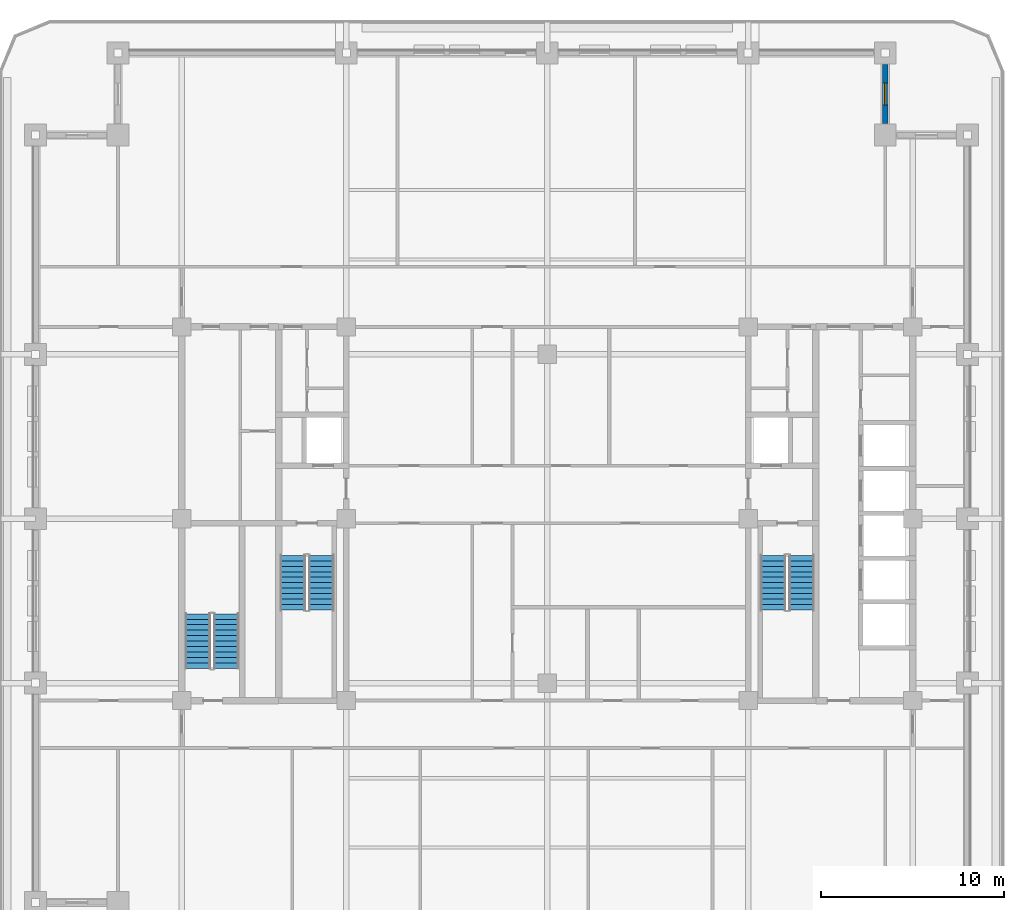
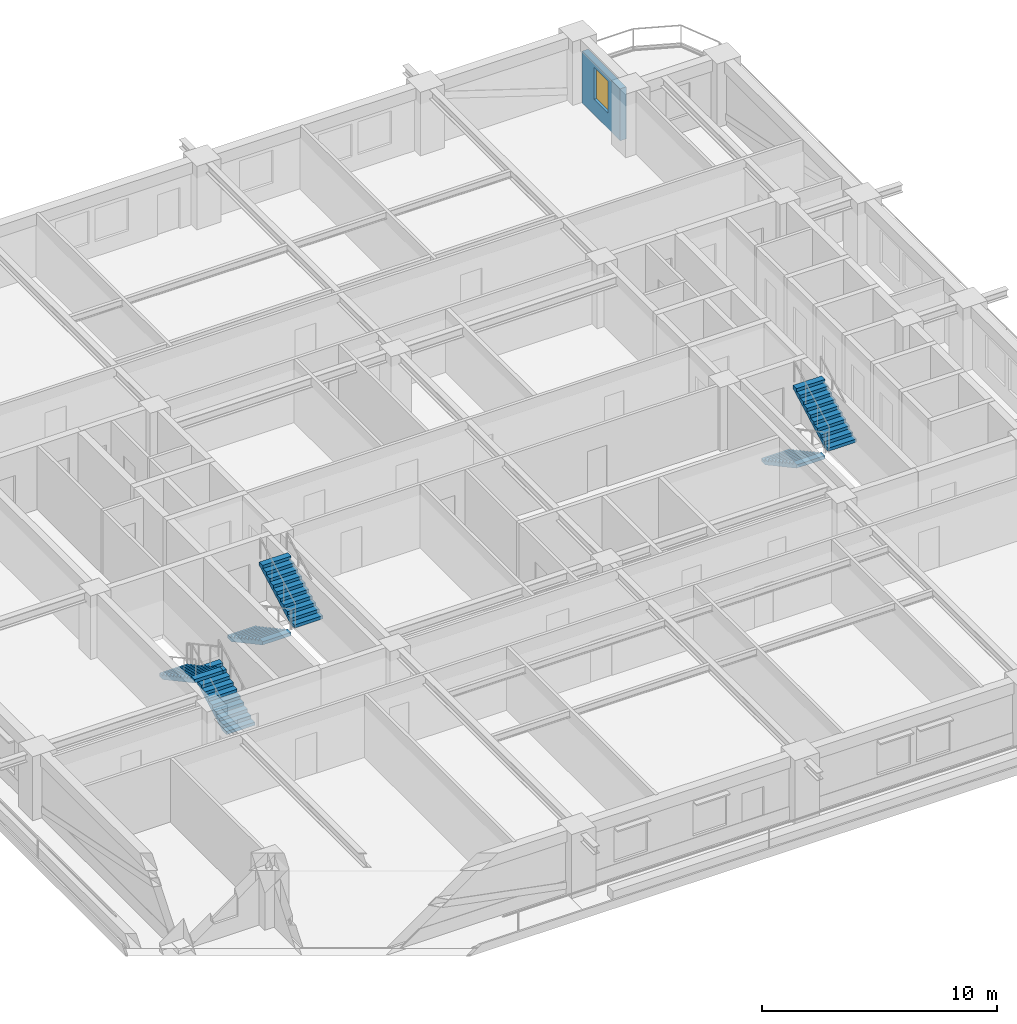
# One storey, part 7 of 15: 6 stair flights, 1 wall, 1 window, 1 opening, 3 elements without a shape of their own.
"""IFC4 building model written with IfcOpenShell, lengths in metres."""

from ifc_helpers import new_model, si_unit, direction, frame, frame_2d, origin, place, context, subcontext, project, spatial, polyline, rectangle, outline, extrude, material, layer, layer_set, type_object, element, fill, aggregate, save


model = new_model("IFC4")

# Units and contexts
model_context = context("Model", 3, precision=1e-05, world=origin(), true_north=direction((0.0, 1.0)))
body_context = subcontext(model_context, "Body", "Model", "MODEL_VIEW")
ifc_project = project(units=[si_unit("LENGTHUNIT", "METRE"), si_unit("AREAUNIT", "SQUARE_METRE"), si_unit("VOLUMEUNIT", "CUBIC_METRE"), si_unit("PLANEANGLEUNIT", "RADIAN"), si_unit("MASSUNIT", "GRAM", prefix="KILO")], contexts=[model_context])

# Site, building, storey
site_placement = place(None, origin())
site = spatial("IfcSite", under=ifc_project, at=site_placement, CompositionType="ELEMENT")
building_placement = place(site_placement, origin())
building = spatial("IfcBuilding", under=site, at=building_placement, Name="Zulmaris Gate Convention Tower", CompositionType="ELEMENT")
storey_placement = place(building_placement, frame((0.0, 0.0, 132.059814453125)))
storey = spatial("IfcBuildingStorey", under=building, at=storey_placement, Name="L33", CompositionType="ELEMENT", Elevation=132.059814453125)

# Wall, opening, window
ifc_material_1 = material(Name="Precast concrete C40/50", Category="concrete")
ifc_layer_1 = layer(ifc_material_1, 0.300048828125, Name="Precast concrete C40/50")
ifc_layer_set_1 = layer_set([ifc_layer_1], Name="Precast concrete C40/50")
wall_type = type_object("IfcWallType", Name="PRECAST-PIER-300", PredefinedType="STANDARD", material=ifc_layer_set_1)
wall_placement = place(storey_placement, frame((18.5, 21.6298828125, 0.0), z_axis=(0.0, 0.0, 1.0), x_axis=(0.0, 1.0, 0.0)))
wall = element("IfcWall", 1, at=wall_placement, inside=storey, type_object=wall_type, Name="EW-L33-NOTCH-NE2_0", PredefinedType="STANDARD", context=body_context, shape_type="SweptSolid", body=[
    extrude(rectangle(XDim=3.240234375, YDim=0.300048828125, at=frame_2d((1.6201171875, 0.0))), origin(), (0.0, 0.0, 1.0), 2.712158203125),
])
opening_placement = place(wall_placement, frame((1.02001953125, 0.0, 0.820068359375)))
opening = element("IfcOpeningElement", 2, at=opening_placement, cuts=wall, Name="Opening W-04", PredefinedType="OPENING", context=body_context, shape_type="SweptSolid", body=[
    extrude(rectangle(XDim=1.199951171875, YDim=1.64990234375, at=frame_2d((0.60009765625, 0.824951171875))), frame((0.0, 0.16015625, 0.0), z_axis=(0.0, -1.0, 0.0), x_axis=(1.0, 0.0, 0.0)), (0.0, 0.0, 1.0), 0.320068359375),
])
ifc_material_2 = material(Name="Low-E Laminated Double Glazing in Aluminium Frame", Category="aluminium")
window_type = type_object("IfcWindowType", Name="WIN-1200x2100", PartitioningType="SINGLE_PANEL", PredefinedType="WINDOW", material=ifc_material_2)
window_placement = place(opening_placement, origin())
window = element("IfcWindow", 3, at=window_placement, inside=storey, type_object=window_type, Name="WN-EW-L33-NOTCH-NE2_0", OverallHeight=1.64990234375, OverallWidth=1.199951171875, PartitioningType="SINGLE_PANEL", PredefinedType="WINDOW", context=body_context, shape_type="SweptSolid", body=[
    extrude(rectangle(XDim=1.199951171875, YDim=1.64990234375, at=frame_2d((0.60009765625, 0.824951171875))), frame((0.0, 0.030029296875, 0.0), z_axis=(0.0, -1.0, 0.0), x_axis=(1.0, 0.0, 0.0)), (0.0, 0.0, 1.0), 0.06005859375),
])
fill(opening, window)

# Stair, stair flights
ifc_material_3 = material(Name="Concrete C45/55", Category="concrete")
stair_type = type_object("IfcStairType", Name="ST-CORE-DOGLEG", PredefinedType="HALF_TURN_STAIR", material=ifc_material_3)
stair_1_placement = place(storey_placement, origin())
stair_1 = element("IfcStair", 4, at=stair_1_placement, inside=storey, type_object=stair_type, Name="L33 Core Exit Stair ST-1", PredefinedType="HALF_TURN_STAIR")
ifc_layer_2 = layer(ifc_material_3, 0.14990234375, Name="Concrete C45/55")
ifc_layer_set_2 = layer_set([ifc_layer_2], Name="Concrete C45/55")
stair_flight_type = type_object("IfcStairFlightType", Name="STF-RC150", PredefinedType="STRAIGHT", material=ifc_layer_set_2)
stair_flight_1_placement = place(storey_placement, frame((-13.919921875, -2.0, 0.0), z_axis=(0.0, 0.0, 1.0), x_axis=(0.0, -1.0, 0.0)))
stair_flight_1 = element("IfcStairFlight", 5, at=stair_flight_1_placement, type_object=stair_flight_type, Name="ST-1 flight 1", NumberOfRisers=11, NumberOfTreads=10, PredefinedType="STRAIGHT", RiserHeight=0.162277273, TreadLength=0.3, context=body_context, shape_type="SweptSolid", body=[
    extrude(outline(polyline([(0.0, 0.0), (0.0, 0.162353515625), (0.300048828125, 0.162353515625), (0.300048828125, 0.324462890625), (0.60009765625, 0.324462890625), (0.60009765625, 0.48681640625), (0.89990234375, 0.48681640625), (0.89990234375, 0.649169921875), (1.199951171875, 0.649169921875), (1.199951171875, 0.811279296875), (1.5, 0.811279296875), (1.5, 0.9736328125), (1.800048828125, 0.9736328125), (1.800048828125, 1.135986328125), (2.10009765625, 1.135986328125), (2.10009765625, 1.29833984375), (2.39990234375, 1.29833984375), (2.39990234375, 1.46044921875), (2.699951171875, 1.46044921875), (2.699951171875, 1.622802734375), (3.0, 1.622802734375), (3.0, 1.78515625), (3.0, 1.452392578125), (0.315185546875, 0.0), (0.0, 0.0)])), frame((0.0, 0.699951171875, 0.0), z_axis=(0.0, -1.0, 0.0), x_axis=(1.0, 0.0, 0.0)), (0.0, 0.0, 1.0), 1.39990234375),
])
stair_flight_2_placement = place(storey_placement, frame((-12.360107421875, -5.0, 1.78515625), z_axis=(0.0, 0.0, 1.0), x_axis=(0.0, 1.0, 0.0)))
stair_flight_2 = element("IfcStairFlight", 6, at=stair_flight_2_placement, type_object=stair_flight_type, Name="ST-1 flight 2", NumberOfRisers=11, NumberOfTreads=10, PredefinedType="STRAIGHT", RiserHeight=0.162277273, TreadLength=0.3, context=body_context, shape_type="SweptSolid", body=[
    extrude(outline(polyline([(0.0, 0.0), (0.0, 0.162353515625), (0.300048828125, 0.162353515625), (0.300048828125, 0.324462890625), (0.60009765625, 0.324462890625), (0.60009765625, 0.48681640625), (0.89990234375, 0.48681640625), (0.89990234375, 0.649169921875), (1.199951171875, 0.649169921875), (1.199951171875, 0.811279296875), (1.5, 0.811279296875), (1.5, 0.9736328125), (1.800048828125, 0.9736328125), (1.800048828125, 1.135986328125), (2.10009765625, 1.135986328125), (2.10009765625, 1.29833984375), (2.39990234375, 1.29833984375), (2.39990234375, 1.46044921875), (2.699951171875, 1.46044921875), (2.699951171875, 1.622802734375), (3.0, 1.622802734375), (3.0, 1.78515625), (3.0, 1.452392578125), (0.315185546875, 0.0), (0.0, 0.0)])), frame((0.0, 0.699951171875, 0.0), z_axis=(0.0, -1.0, 0.0), x_axis=(1.0, 0.0, 0.0)), (0.0, 0.0, 1.0), 1.39990234375),
])
aggregate(stair_1, [stair_flight_1, stair_flight_2])

stair_2_placement = place(storey_placement, origin())
stair_2 = element("IfcStair", 7, at=stair_2_placement, inside=storey, type_object=stair_type, Name="L33 Core Exit Stair ST-2", PredefinedType="HALF_TURN_STAIR")
stair_flight_3_placement = place(storey_placement, frame((12.360107421875, -2.0, 0.0), z_axis=(0.0, 0.0, 1.0), x_axis=(0.0, -1.0, 0.0)))
stair_flight_3 = element("IfcStairFlight", 8, at=stair_flight_3_placement, type_object=stair_flight_type, Name="ST-2 flight 1", NumberOfRisers=11, NumberOfTreads=10, PredefinedType="STRAIGHT", RiserHeight=0.162277273, TreadLength=0.3, context=body_context, shape_type="SweptSolid", body=[
    extrude(outline(polyline([(0.0, 0.0), (0.0, 0.162353515625), (0.300048828125, 0.162353515625), (0.300048828125, 0.324462890625), (0.60009765625, 0.324462890625), (0.60009765625, 0.48681640625), (0.89990234375, 0.48681640625), (0.89990234375, 0.649169921875), (1.199951171875, 0.649169921875), (1.199951171875, 0.811279296875), (1.5, 0.811279296875), (1.5, 0.9736328125), (1.800048828125, 0.9736328125), (1.800048828125, 1.135986328125), (2.10009765625, 1.135986328125), (2.10009765625, 1.29833984375), (2.39990234375, 1.29833984375), (2.39990234375, 1.46044921875), (2.699951171875, 1.46044921875), (2.699951171875, 1.622802734375), (3.0, 1.622802734375), (3.0, 1.78515625), (3.0, 1.452392578125), (0.315185546875, 0.0), (0.0, 0.0)])), frame((0.0, 0.699951171875, 0.0), z_axis=(0.0, -1.0, 0.0), x_axis=(1.0, 0.0, 0.0)), (0.0, 0.0, 1.0), 1.39990234375),
])
stair_flight_4_placement = place(storey_placement, frame((13.919921875, -5.0, 1.78515625), z_axis=(0.0, 0.0, 1.0), x_axis=(0.0, 1.0, 0.0)))
stair_flight_4 = element("IfcStairFlight", 9, at=stair_flight_4_placement, type_object=stair_flight_type, Name="ST-2 flight 2", NumberOfRisers=11, NumberOfTreads=10, PredefinedType="STRAIGHT", RiserHeight=0.162277273, TreadLength=0.3, context=body_context, shape_type="SweptSolid", body=[
    extrude(outline(polyline([(0.0, 0.0), (0.0, 0.162353515625), (0.300048828125, 0.162353515625), (0.300048828125, 0.324462890625), (0.60009765625, 0.324462890625), (0.60009765625, 0.48681640625), (0.89990234375, 0.48681640625), (0.89990234375, 0.649169921875), (1.199951171875, 0.649169921875), (1.199951171875, 0.811279296875), (1.5, 0.811279296875), (1.5, 0.9736328125), (1.800048828125, 0.9736328125), (1.800048828125, 1.135986328125), (2.10009765625, 1.135986328125), (2.10009765625, 1.29833984375), (2.39990234375, 1.29833984375), (2.39990234375, 1.46044921875), (2.699951171875, 1.46044921875), (2.699951171875, 1.622802734375), (3.0, 1.622802734375), (3.0, 1.78515625), (3.0, 1.452392578125), (0.315185546875, 0.0), (0.0, 0.0)])), frame((0.0, 0.699951171875, 0.0), z_axis=(0.0, -1.0, 0.0), x_axis=(1.0, 0.0, 0.0)), (0.0, 0.0, 1.0), 1.39990234375),
])
aggregate(stair_2, [stair_flight_3, stair_flight_4])

stair_3_placement = place(storey_placement, origin())
stair_3 = element("IfcStair", 10, at=stair_3_placement, inside=storey, type_object=stair_type, Name="L33 Core Exit Stair ST-3", PredefinedType="HALF_TURN_STAIR")
stair_flight_5_placement = place(storey_placement, frame((-17.56005859375, -8.199951171875, 0.0), z_axis=(0.0, 0.0, 1.0), x_axis=(0.0, 1.0, 0.0)))
stair_flight_5 = element("IfcStairFlight", 11, at=stair_flight_5_placement, type_object=stair_flight_type, Name="ST-3 flight 1", NumberOfRisers=11, NumberOfTreads=10, PredefinedType="STRAIGHT", RiserHeight=0.162277273, TreadLength=0.3, context=body_context, shape_type="SweptSolid", body=[
    extrude(outline(polyline([(0.0, 0.0), (0.0, 0.162353515625), (0.300048828125, 0.162353515625), (0.300048828125, 0.324462890625), (0.60009765625, 0.324462890625), (0.60009765625, 0.48681640625), (0.89990234375, 0.48681640625), (0.89990234375, 0.649169921875), (1.199951171875, 0.649169921875), (1.199951171875, 0.811279296875), (1.5, 0.811279296875), (1.5, 0.9736328125), (1.800048828125, 0.9736328125), (1.800048828125, 1.135986328125), (2.10009765625, 1.135986328125), (2.10009765625, 1.29833984375), (2.39990234375, 1.29833984375), (2.39990234375, 1.46044921875), (2.699951171875, 1.46044921875), (2.699951171875, 1.622802734375), (3.0, 1.622802734375), (3.0, 1.78515625), (3.0, 1.452392578125), (0.315185546875, 0.0), (0.0, 0.0)])), frame((0.0, 0.699951171875, 0.0), z_axis=(0.0, -1.0, 0.0), x_axis=(1.0, 0.0, 0.0)), (0.0, 0.0, 1.0), 1.39990234375),
])
stair_flight_6_placement = place(storey_placement, frame((-19.1201171875, -5.199951171875, 1.78515625), z_axis=(0.0, 0.0, 1.0), x_axis=(0.0, -1.0, 0.0)))
stair_flight_6 = element("IfcStairFlight", 12, at=stair_flight_6_placement, type_object=stair_flight_type, Name="ST-3 flight 2", NumberOfRisers=11, NumberOfTreads=10, PredefinedType="STRAIGHT", RiserHeight=0.162277273, TreadLength=0.3, context=body_context, shape_type="SweptSolid", body=[
    extrude(outline(polyline([(0.0, 0.0), (0.0, 0.162353515625), (0.300048828125, 0.162353515625), (0.300048828125, 0.324462890625), (0.60009765625, 0.324462890625), (0.60009765625, 0.48681640625), (0.89990234375, 0.48681640625), (0.89990234375, 0.649169921875), (1.199951171875, 0.649169921875), (1.199951171875, 0.811279296875), (1.5, 0.811279296875), (1.5, 0.9736328125), (1.800048828125, 0.9736328125), (1.800048828125, 1.135986328125), (2.10009765625, 1.135986328125), (2.10009765625, 1.29833984375), (2.39990234375, 1.29833984375), (2.39990234375, 1.46044921875), (2.699951171875, 1.46044921875), (2.699951171875, 1.622802734375), (3.0, 1.622802734375), (3.0, 1.78515625), (3.0, 1.452392578125), (0.315185546875, 0.0), (0.0, 0.0)])), frame((0.0, 0.699951171875, 0.0), z_axis=(0.0, -1.0, 0.0), x_axis=(1.0, 0.0, 0.0)), (0.0, 0.0, 1.0), 1.39990234375),
])
aggregate(stair_3, [stair_flight_5, stair_flight_6])

save(model, "model.ifc")
